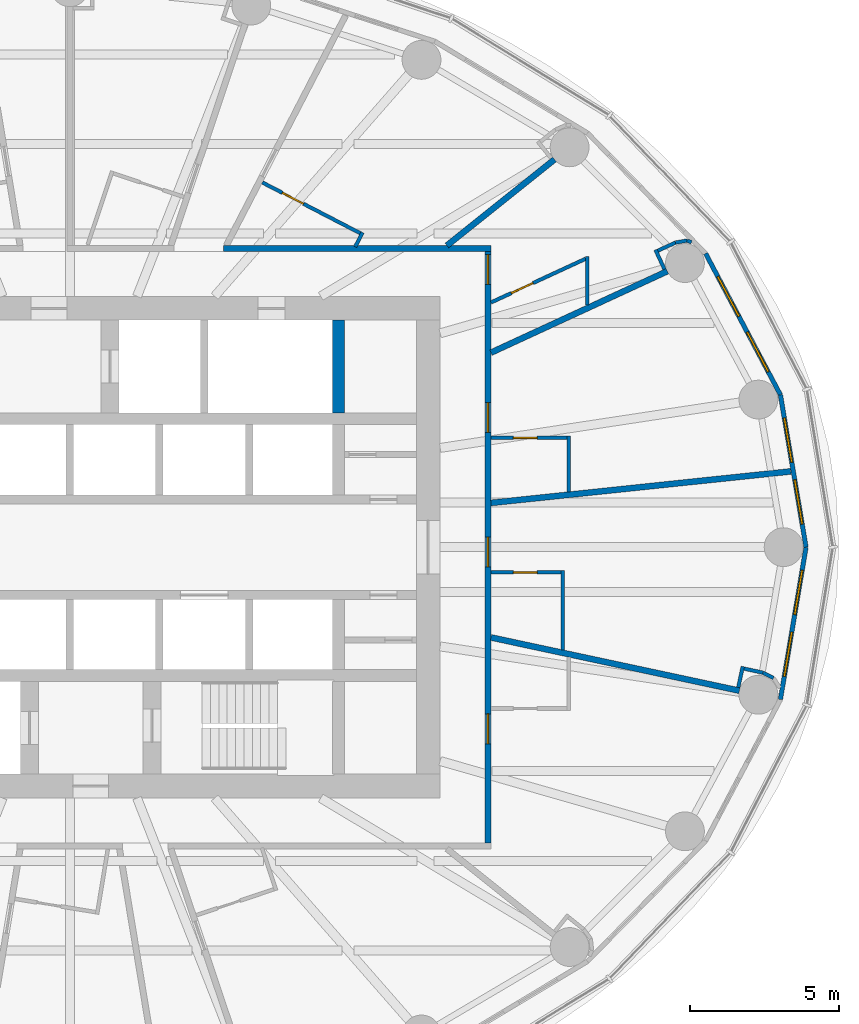
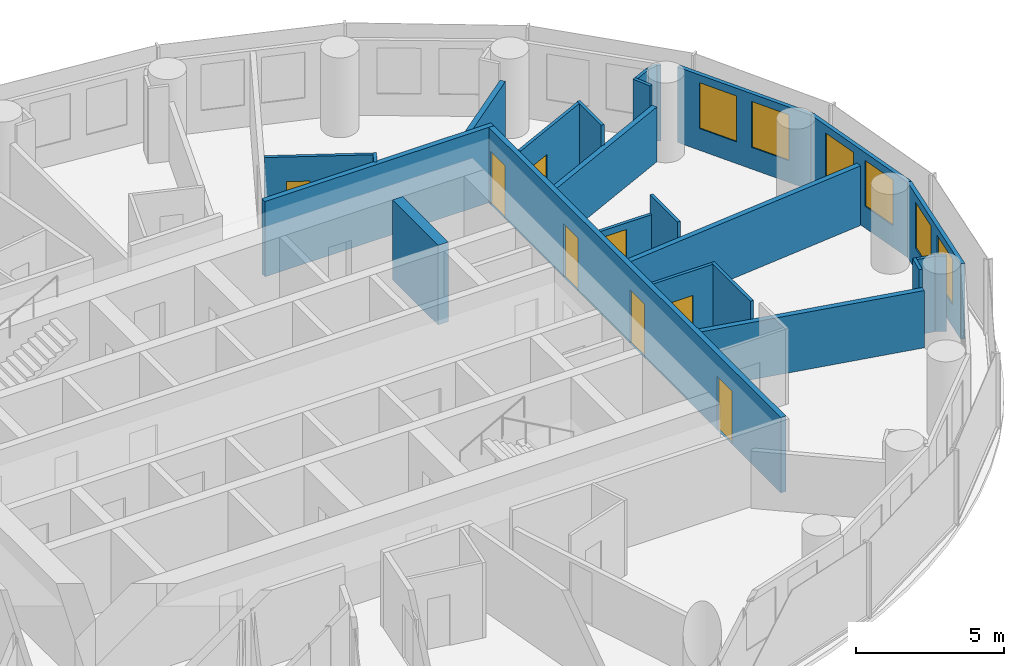
# One storey, part 10 of 14: 25 walls, 8 doors, 6 windows, 14 openings.
"""IFC4 building model written with IfcOpenShell, lengths in metres."""

from ifc_helpers import new_model, si_unit, direction, frame, frame_2d, origin, place, context, subcontext, project, spatial, rectangle, extrude, material, layer, layer_set, type_object, element, fill, save


model = new_model("IFC4")

# Units and contexts
model_context = context("Model", 3, precision=1e-05, world=origin(), true_north=direction((0.0, 1.0)))
body_context = subcontext(model_context, "Body", "Model", "MODEL_VIEW")
ifc_project = project(units=[si_unit("LENGTHUNIT", "METRE"), si_unit("AREAUNIT", "SQUARE_METRE"), si_unit("VOLUMEUNIT", "CUBIC_METRE"), si_unit("PLANEANGLEUNIT", "RADIAN"), si_unit("MASSUNIT", "GRAM", prefix="KILO")], contexts=[model_context])

# Site, building, storey
site_placement = place(None, origin())
site = spatial("IfcSite", under=ifc_project, at=site_placement, CompositionType="ELEMENT")
building_placement = place(site_placement, origin())
building = spatial("IfcBuilding", under=site, at=building_placement, Name="Hankou Lantern Tower", CompositionType="ELEMENT")
storey_placement = place(building_placement, frame((0.0, 0.0, 108.89990234375)))
storey = spatial("IfcBuildingStorey", under=building, at=storey_placement, Name="L27", CompositionType="ELEMENT", Elevation=108.89990234375)

# Wall
ifc_material_1 = material(Name="Concrete C60", Category="concrete")
ifc_layer_1 = layer(ifc_material_1, 0.39990234375)
ifc_layer_set_1 = layer_set([ifc_layer_1], Name="Concrete C60")
wall_type_1 = type_object("IfcWallType", Name="CW4 CORE CROSS WALL 400", PredefinedType="SHEAR", material=ifc_layer_set_1)
wall_1_placement = place(storey_placement, frame((9.0, 4.5, 0.0), z_axis=(0.0, 0.0, 1.0), x_axis=(0.0, 1.0, 0.0)))
element("IfcWall", 1, at=wall_1_placement, inside=storey, type_object=wall_type_1, Name="Core strip wall L27", PredefinedType="SHEAR", context=body_context, shape_type="SweptSolid", body=[
    extrude(rectangle(XDim=3.10009765625, YDim=0.39990234375, at=frame_2d((1.550048828125, 0.0))), origin(), (0.0, 0.0, 1.0), 3.300048828125),
])

# Wall, openings, windows
ifc_material_2 = material(Name="Aluminium spandrel panel on steel studs", Category="steel")
ifc_layer_2 = layer(ifc_material_2, 0.14990234375)
ifc_layer_set_2 = layer_set([ifc_layer_2], Name="Aluminium spandrel panel on steel studs")
wall_type_2 = type_object("IfcWallType", Name="EW1 INNER SKIN WALL 150", PredefinedType="ELEMENTEDWALL", material=ifc_layer_set_2)
wall_2_placement = place(storey_placement, frame((24.64990234375, 0.0, 0.0), z_axis=(0.0, 0.0, 1.0), x_axis=(-0.165883894218, 0.986145290329, 0.0)))
wall_2 = element("IfcWall", 2, at=wall_2_placement, inside=storey, type_object=wall_type_2, Name="Inner skin R01-R02 L27", PredefinedType="ELEMENTEDWALL", context=body_context, shape_type="SweptSolid", body=[
    extrude(rectangle(XDim=5.171630859375, YDim=0.14990234375, at=frame_2d((2.5859375, 0.0))), origin(), (0.0, 0.0, 1.0), 3.1201171875),
])
opening_1_placement = place(wall_2_placement, frame((0.785888671875, 0.0, 0.89990234375)))
opening_1 = element("IfcOpeningElement", 3, at=opening_1_placement, cuts=wall_2, Name="Opening W2", PredefinedType="OPENING", context=body_context, shape_type="SweptSolid", body=[
    extrude(rectangle(XDim=1.5, YDim=1.89990234375, at=frame_2d((0.75, 0.949951171875))), frame((0.0, 0.0849609375, 0.0), z_axis=(0.0, -1.0, 0.0), x_axis=(1.0, 0.0, 0.0)), (0.0, 0.0, 1.0), 0.169921875),
])
opening_2_placement = place(wall_2_placement, frame((2.8857421875, 0.0, 0.89990234375)))
opening_2 = element("IfcOpeningElement", 4, at=opening_2_placement, cuts=wall_2, Name="Opening W2", PredefinedType="OPENING", context=body_context, shape_type="SweptSolid", body=[
    extrude(rectangle(XDim=1.5, YDim=1.89990234375, at=frame_2d((0.75, 0.949951171875))), frame((0.0, 0.0849609375, 0.0), z_axis=(0.0, -1.0, 0.0), x_axis=(1.0, 0.0, 0.0)), (0.0, 0.0, 1.0), 0.169921875),
])
ifc_material_3 = material(Name="Aluminium framed double glazed window", Category="aluminium")
window_type = type_object("IfcWindowType", Name="W2 GUEST ROOM WINDOW 1500X1900", PartitioningType="DOUBLE_PANEL_VERTICAL", PredefinedType="WINDOW", material=ifc_material_3)
window_1_placement = place(opening_1_placement, origin())
window_1 = element("IfcWindow", 5, at=window_1_placement, inside=storey, type_object=window_type, Name="Window R01.1 L27", OverallHeight=1.89990234375, OverallWidth=1.5, PartitioningType="SINGLE_PANEL", PredefinedType="WINDOW", context=body_context, shape_type="SweptSolid", body=[
    extrude(rectangle(XDim=1.5, YDim=1.89990234375, at=frame_2d((0.75, 0.949951171875))), frame((0.0, 0.030029296875, 0.0), z_axis=(0.0, -1.0, 0.0), x_axis=(1.0, 0.0, 0.0)), (0.0, 0.0, 1.0), 0.06005859375),
])
fill(opening_1, window_1)
window_2_placement = place(opening_2_placement, origin())
window_2 = element("IfcWindow", 6, at=window_2_placement, inside=storey, type_object=window_type, Name="Window R01.2 L27", OverallHeight=1.89990234375, OverallWidth=1.5, PartitioningType="SINGLE_PANEL", PredefinedType="WINDOW", context=body_context, shape_type="SweptSolid", body=[
    extrude(rectangle(XDim=1.5, YDim=1.89990234375, at=frame_2d((0.75, 0.949951171875))), frame((0.0, 0.030029296875, 0.0), z_axis=(0.0, -1.0, 0.0), x_axis=(1.0, 0.0, 0.0)), (0.0, 0.0, 1.0), 0.06005859375),
])
fill(opening_2, window_2)

wall_3_placement = place(storey_placement, frame((23.7919921875, 5.10009765625, 0.0), z_axis=(0.0, 0.0, 1.0), x_axis=(-0.467814388454, 0.883826735257, 0.0)))
wall_3 = element("IfcWall", 7, at=wall_3_placement, inside=storey, type_object=wall_type_2, Name="Inner skin R02-R03 L27", PredefinedType="ELEMENTEDWALL", context=body_context, shape_type="SweptSolid", body=[
    extrude(rectangle(XDim=5.35400390625, YDim=0.14990234375, at=frame_2d((2.677001953125, 0.0))), origin(), (0.0, 0.0, 1.0), 3.1201171875),
])
opening_3_placement = place(wall_3_placement, frame((0.876953125, 0.0, 0.89990234375)))
opening_3 = element("IfcOpeningElement", 8, at=opening_3_placement, cuts=wall_3, Name="Opening W2", PredefinedType="OPENING", context=body_context, shape_type="SweptSolid", body=[
    extrude(rectangle(XDim=1.5, YDim=1.89990234375, at=frame_2d((0.75, 0.949951171875))), frame((0.0, 0.0849609375, 0.0), z_axis=(0.0, -1.0, 0.0), x_axis=(1.0, 0.0, 0.0)), (0.0, 0.0, 1.0), 0.169921875),
])
opening_4_placement = place(wall_3_placement, frame((2.97705078125, 0.0, 0.89990234375)))
opening_4 = element("IfcOpeningElement", 9, at=opening_4_placement, cuts=wall_3, Name="Opening W2", PredefinedType="OPENING", context=body_context, shape_type="SweptSolid", body=[
    extrude(rectangle(XDim=1.5, YDim=1.89990234375, at=frame_2d((0.75, 0.949951171875))), frame((0.0, 0.0849609375, 0.0), z_axis=(0.0, -1.0, 0.0), x_axis=(1.0, 0.0, 0.0)), (0.0, 0.0, 1.0), 0.169921875),
])
window_3_placement = place(opening_3_placement, origin())
window_3 = element("IfcWindow", 10, at=window_3_placement, inside=storey, type_object=window_type, Name="Window R02.1 L27", OverallHeight=1.89990234375, OverallWidth=1.5, PartitioningType="SINGLE_PANEL", PredefinedType="WINDOW", context=body_context, shape_type="SweptSolid", body=[
    extrude(rectangle(XDim=1.5, YDim=1.89990234375, at=frame_2d((0.75, 0.949951171875))), frame((0.0, 0.030029296875, 0.0), z_axis=(0.0, -1.0, 0.0), x_axis=(1.0, 0.0, 0.0)), (0.0, 0.0, 1.0), 0.06005859375),
])
fill(opening_3, window_3)
window_4_placement = place(opening_4_placement, origin())
window_4 = element("IfcWindow", 11, at=window_4_placement, inside=storey, type_object=window_type, Name="Window R02.2 L27", OverallHeight=1.89990234375, OverallWidth=1.5, PartitioningType="SINGLE_PANEL", PredefinedType="WINDOW", context=body_context, shape_type="SweptSolid", body=[
    extrude(rectangle(XDim=1.5, YDim=1.89990234375, at=frame_2d((0.75, 0.949951171875))), frame((0.0, 0.030029296875, 0.0), z_axis=(0.0, -1.0, 0.0), x_axis=(1.0, 0.0, 0.0)), (0.0, 0.0, 1.0), 0.06005859375),
])
fill(opening_4, window_4)

wall_4_placement = place(storey_placement, frame((23.7919921875, -5.10009765625, 0.0), z_axis=(0.0, 0.0, 1.0), x_axis=(0.165883894218, 0.986145290329, 0.0)))
wall_4 = element("IfcWall", 12, at=wall_4_placement, inside=storey, type_object=wall_type_2, Name="Inner skin R24-R01 L27", PredefinedType="ELEMENTEDWALL", context=body_context, shape_type="SweptSolid", body=[
    extrude(rectangle(XDim=5.171630859375, YDim=0.14990234375, at=frame_2d((2.5859375, 0.0))), origin(), (0.0, 0.0, 1.0), 3.1201171875),
])
opening_5_placement = place(wall_4_placement, frame((0.785888671875, 0.0, 0.89990234375)))
opening_5 = element("IfcOpeningElement", 13, at=opening_5_placement, cuts=wall_4, Name="Opening W2", PredefinedType="OPENING", context=body_context, shape_type="SweptSolid", body=[
    extrude(rectangle(XDim=1.5, YDim=1.89990234375, at=frame_2d((0.75, 0.949951171875))), frame((0.0, 0.0849609375, 0.0), z_axis=(0.0, -1.0, 0.0), x_axis=(1.0, 0.0, 0.0)), (0.0, 0.0, 1.0), 0.169921875),
])
opening_6_placement = place(wall_4_placement, frame((2.8857421875, 0.0, 0.89990234375)))
opening_6 = element("IfcOpeningElement", 14, at=opening_6_placement, cuts=wall_4, Name="Opening W2", PredefinedType="OPENING", context=body_context, shape_type="SweptSolid", body=[
    extrude(rectangle(XDim=1.5, YDim=1.89990234375, at=frame_2d((0.75, 0.949951171875))), frame((0.0, 0.0849609375, 0.0), z_axis=(0.0, -1.0, 0.0), x_axis=(1.0, 0.0, 0.0)), (0.0, 0.0, 1.0), 0.169921875),
])
window_5_placement = place(opening_5_placement, origin())
window_5 = element("IfcWindow", 15, at=window_5_placement, inside=storey, type_object=window_type, Name="Window R24.1 L27", OverallHeight=1.89990234375, OverallWidth=1.5, PartitioningType="SINGLE_PANEL", PredefinedType="WINDOW", context=body_context, shape_type="SweptSolid", body=[
    extrude(rectangle(XDim=1.5, YDim=1.89990234375, at=frame_2d((0.75, 0.949951171875))), frame((0.0, 0.030029296875, 0.0), z_axis=(0.0, -1.0, 0.0), x_axis=(1.0, 0.0, 0.0)), (0.0, 0.0, 1.0), 0.06005859375),
])
fill(opening_5, window_5)
window_6_placement = place(opening_6_placement, origin())
window_6 = element("IfcWindow", 16, at=window_6_placement, inside=storey, type_object=window_type, Name="Window R24.2 L27", OverallHeight=1.89990234375, OverallWidth=1.5, PartitioningType="SINGLE_PANEL", PredefinedType="WINDOW", context=body_context, shape_type="SweptSolid", body=[
    extrude(rectangle(XDim=1.5, YDim=1.89990234375, at=frame_2d((0.75, 0.949951171875))), frame((0.0, 0.030029296875, 0.0), z_axis=(0.0, -1.0, 0.0), x_axis=(1.0, 0.0, 0.0)), (0.0, 0.0, 1.0), 0.06005859375),
])
fill(opening_6, window_6)

# Walls
ifc_material_4 = material(Name="Masonry lightweight concrete block", Category="masonry")
ifc_layer_3 = layer(ifc_material_4, 0.199951171875)
ifc_layer_set_3 = layer_set([ifc_layer_3], Name="Masonry lightweight concrete block")
wall_type_3 = type_object("IfcWallType", Name="IW1 GUEST ROOM PARTY WALL 200", PredefinedType="PARTITIONING", material=ifc_layer_set_3)
wall_5_placement = place(storey_placement, frame((14.10009765625, 1.481689453125, 0.0), z_axis=(0.0, 0.0, 1.0), x_axis=(0.994523202615, 0.104516024894, 0.0)))
element("IfcWall", 17, at=wall_5_placement, inside=storey, type_object=wall_type_3, Name="Party wall R01-R02", PredefinedType="PARTITIONING", context=body_context, shape_type="SweptSolid", body=[
    extrude(rectangle(XDim=10.091064453125, YDim=0.199951171875, at=frame_2d((5.04541015625, 0.0))), origin(), (0.0, 0.0, 1.0), 2.47021484375),
])
wall_6_placement = place(storey_placement, frame((14.10009765625, 6.512451171875, 0.0), z_axis=(0.0, 0.0, 1.0), x_axis=(0.907833019998, 0.419331858797, 0.0)))
element("IfcWall", 18, at=wall_6_placement, inside=storey, type_object=wall_type_3, Name="Party wall R03", PredefinedType="PARTITIONING", context=body_context, shape_type="SweptSolid", body=[
    extrude(rectangle(XDim=6.505126953125, YDim=0.199951171875, at=frame_2d((3.25244140625, 0.0))), origin(), (0.0, 0.0, 1.0), 2.27001953125),
])
wall_7_placement = place(storey_placement, frame((12.625, 10.10009765625, 0.0), z_axis=(0.0, 0.0, 1.0), x_axis=(0.780863644897, 0.624701503182, 0.0)))
element("IfcWall", 19, at=wall_7_placement, inside=storey, type_object=wall_type_3, Name="Party wall R04", PredefinedType="PARTITIONING", context=body_context, shape_type="SweptSolid", body=[
    extrude(rectangle(XDim=4.612060546875, YDim=0.199951171875, at=frame_2d((2.30615234375, 0.0))), origin(), (0.0, 0.0, 1.0), 2.3701171875),
])
wall_8_placement = place(storey_placement, frame((14.10009765625, -3.0224609375, 0.0), z_axis=(0.0, 0.0, 1.0), x_axis=(0.977783513367, -0.209617272638, 0.0)))
element("IfcWall", 20, at=wall_8_placement, inside=storey, type_object=wall_type_3, Name="Party wall R24", PredefinedType="PARTITIONING", context=body_context, shape_type="SweptSolid", body=[
    extrude(rectangle(XDim=8.508056640625, YDim=0.199951171875, at=frame_2d((4.25390625, 0.0))), origin(), (0.0, 0.0, 1.0), 2.3701171875),
])

# Wall, openings, doors
ifc_material_5 = material(Name="Masonry lightweight concrete block", Category="masonry")
ifc_layer_4 = layer(ifc_material_5, 0.199951171875)
ifc_layer_set_4 = layer_set([ifc_layer_4], Name="Masonry lightweight concrete block")
wall_type_4 = type_object("IfcWallType", Name="IW2 CORRIDOR WALL 200", PredefinedType="PARTITIONING", material=ifc_layer_set_4)
wall_9_placement = place(storey_placement, frame((14.0, -9.89990234375, 0.0), z_axis=(0.0, 0.0, 1.0), x_axis=(0.0, 1.0, 0.0)))
wall_9 = element("IfcWall", 21, at=wall_9_placement, inside=storey, type_object=wall_type_4, Name="Corridor wall east", PredefinedType="PARTITIONING", context=body_context, shape_type="SweptSolid", body=[
    extrude(rectangle(XDim=19.7998046875, YDim=0.199951171875, at=frame_2d((9.89990234375, 0.0))), origin(), (0.0, 0.0, 1.0), 3.1201171875),
])
opening_7_placement = place(wall_9_placement, frame((3.317626953125, 0.0, 0.0)))
opening_7 = element("IfcOpeningElement", 22, at=opening_7_placement, cuts=wall_9, Name="Opening D2", PredefinedType="OPENING", context=body_context, shape_type="SweptSolid", body=[
    extrude(rectangle(XDim=1.0, YDim=2.199951171875, at=frame_2d((0.5, 1.10009765625))), frame((0.0, 0.10986328125, 0.0), z_axis=(0.0, -1.0, 0.0), x_axis=(1.0, 0.0, 0.0)), (0.0, 0.0, 1.0), 0.219970703125),
])
opening_8_placement = place(wall_9_placement, frame((9.237548828125, 0.0, 0.0)))
opening_8 = element("IfcOpeningElement", 23, at=opening_8_placement, cuts=wall_9, Name="Opening D1", PredefinedType="OPENING", context=body_context, shape_type="SweptSolid", body=[
    extrude(rectangle(XDim=1.0, YDim=2.199951171875, at=frame_2d((0.5, 1.10009765625))), frame((0.0, 0.10986328125, 0.0), z_axis=(0.0, -1.0, 0.0), x_axis=(1.0, 0.0, 0.0)), (0.0, 0.0, 1.0), 0.219970703125),
])
opening_9_placement = place(wall_9_placement, frame((13.74169921875, 0.0, 0.0)))
opening_9 = element("IfcOpeningElement", 24, at=opening_9_placement, cuts=wall_9, Name="Opening D1", PredefinedType="OPENING", context=body_context, shape_type="SweptSolid", body=[
    extrude(rectangle(XDim=1.0, YDim=2.199951171875, at=frame_2d((0.5, 1.10009765625))), frame((0.0, 0.10986328125, 0.0), z_axis=(0.0, -1.0, 0.0), x_axis=(1.0, 0.0, 0.0)), (0.0, 0.0, 1.0), 0.219970703125),
])
opening_10_placement = place(wall_9_placement, frame((18.697509765625, 0.0, 0.0)))
opening_10 = element("IfcOpeningElement", 25, at=opening_10_placement, cuts=wall_9, Name="Opening D1", PredefinedType="OPENING", context=body_context, shape_type="SweptSolid", body=[
    extrude(rectangle(XDim=1.0, YDim=2.199951171875, at=frame_2d((0.5, 1.10009765625))), frame((0.0, 0.10986328125, 0.0), z_axis=(0.0, -1.0, 0.0), x_axis=(1.0, 0.0, 0.0)), (0.0, 0.0, 1.0), 0.219970703125),
])
ifc_material_6 = material(Name="Steel door leaf", Category="steel")
door_type_1 = type_object("IfcDoorType", Name="D1 GUEST ROOM DOOR 1000X2200", OperationType="SINGLE_SWING_LEFT", PredefinedType="DOOR", material=ifc_material_6)
door_1_placement = place(opening_8_placement, origin())
door_1 = element("IfcDoor", 26, at=door_1_placement, inside=storey, type_object=door_type_1, Name="Guest room door 2717", OperationType="SINGLE_SWING_LEFT", OverallHeight=2.199951171875, OverallWidth=1.0, PredefinedType="DOOR", context=body_context, shape_type="SweptSolid", body=[
    extrude(rectangle(XDim=1.0, YDim=2.199951171875, at=frame_2d((0.5, 1.10009765625))), frame((0.0, 0.02490234375, 0.0), z_axis=(0.0, -1.0, 0.0), x_axis=(1.0, 0.0, 0.0)), (0.0, 0.0, 1.0), 0.050048828125),
])
fill(opening_8, door_1)
door_2_placement = place(opening_9_placement, origin())
door_2 = element("IfcDoor", 27, at=door_2_placement, inside=storey, type_object=door_type_1, Name="Guest room door 2718", OperationType="SINGLE_SWING_RIGHT", OverallHeight=2.199951171875, OverallWidth=1.0, PredefinedType="DOOR", context=body_context, shape_type="SweptSolid", body=[
    extrude(rectangle(XDim=1.0, YDim=2.199951171875, at=frame_2d((0.5, 1.10009765625))), frame((0.0, 0.02490234375, 0.0), z_axis=(0.0, -1.0, 0.0), x_axis=(1.0, 0.0, 0.0)), (0.0, 0.0, 1.0), 0.050048828125),
])
fill(opening_9, door_2)
door_3_placement = place(opening_10_placement, origin())
door_3 = element("IfcDoor", 28, at=door_3_placement, inside=storey, type_object=door_type_1, Name="Guest room door 2719", OperationType="SINGLE_SWING_RIGHT", OverallHeight=2.199951171875, OverallWidth=1.0, PredefinedType="DOOR", context=body_context, shape_type="SweptSolid", body=[
    extrude(rectangle(XDim=1.0, YDim=2.199951171875, at=frame_2d((0.5, 1.10009765625))), frame((0.0, 0.02490234375, 0.0), z_axis=(0.0, -1.0, 0.0), x_axis=(1.0, 0.0, 0.0)), (0.0, 0.0, 1.0), 0.050048828125),
])
fill(opening_10, door_3)
ifc_material_7 = material(Name="Steel door leaf", Category="steel")
door_type_2 = type_object("IfcDoorType", Name="D2 SUITE DOOR 1000X2200", OperationType="SINGLE_SWING_LEFT", PredefinedType="DOOR", material=ifc_material_7)
door_4_placement = place(opening_7_placement, origin())
door_4 = element("IfcDoor", 29, at=door_4_placement, inside=storey, type_object=door_type_2, Name="Suite door 2716", OperationType="SINGLE_SWING_LEFT", OverallHeight=2.199951171875, OverallWidth=1.0, PredefinedType="DOOR", context=body_context, shape_type="SweptSolid", body=[
    extrude(rectangle(XDim=1.0, YDim=2.199951171875, at=frame_2d((0.5, 1.10009765625))), frame((0.0, 0.02490234375, 0.0), z_axis=(0.0, -1.0, 0.0), x_axis=(1.0, 0.0, 0.0)), (0.0, 0.0, 1.0), 0.050048828125),
])
fill(opening_7, door_4)

# Walls
wall_10_placement = place(storey_placement, frame((5.13916015625, 10.0, 0.0), z_axis=(0.0, 0.0, 1.0), x_axis=(1.0, 0.0, 0.0)))
element("IfcWall", 30, at=wall_10_placement, inside=storey, type_object=wall_type_4, Name="Corridor wall north", PredefinedType="PARTITIONING", context=body_context, shape_type="SweptSolid", body=[
    extrude(rectangle(XDim=8.9609375, YDim=0.199951171875, at=frame_2d((4.48046875, 0.0))), origin(), (0.0, 0.0, 1.0), 3.1201171875),
])
ifc_material_8 = material(Name="Masonry lightweight concrete block", Category="masonry")
ifc_layer_5 = layer(ifc_material_8, 0.1201171875)
ifc_layer_set_5 = layer_set([ifc_layer_5], Name="Masonry lightweight concrete block")
wall_type_5 = type_object("IfcWallType", Name="IW3 BATHROOM WALL 120", PredefinedType="PARTITIONING", material=ifc_layer_set_5)
wall_11_placement = place(storey_placement, frame((16.5, -3.43701171875, 0.0), z_axis=(0.0, 0.0, 1.0), x_axis=(0.0, 1.0, 0.0)))
element("IfcWall", 31, at=wall_11_placement, inside=storey, type_object=wall_type_5, Name="Box wall 2717 1", PredefinedType="PARTITIONING", context=body_context, shape_type="SweptSolid", body=[
    extrude(rectangle(XDim=2.654541015625, YDim=0.1201171875, at=frame_2d((1.3271484375, 0.0))), origin(), (0.0, 0.0, 1.0), 3.1201171875),
])

# Wall, opening, door
wall_12_placement = place(storey_placement, frame((14.10009765625, -0.842529296875, 0.0), z_axis=(0.0, 0.0, 1.0), x_axis=(1.0, 0.0, 0.0)))
wall_12 = element("IfcWall", 32, at=wall_12_placement, inside=storey, type_object=wall_type_5, Name="Box wall 2717 1", PredefinedType="PARTITIONING", context=body_context, shape_type="SweptSolid", body=[
    extrude(rectangle(XDim=2.33984375, YDim=0.1201171875, at=frame_2d((1.169921875, 0.0))), origin(), (0.0, 0.0, 1.0), 3.1201171875),
])
opening_11_placement = place(wall_12_placement, frame((0.75, 0.0, 0.0)))
opening_11 = element("IfcOpeningElement", 33, at=opening_11_placement, cuts=wall_12, Name="Opening D3", PredefinedType="OPENING", context=body_context, shape_type="SweptSolid", body=[
    extrude(rectangle(XDim=0.800048828125, YDim=2.10009765625, at=frame_2d((0.39990234375, 1.050048828125))), frame((0.0, 0.070068359375, 0.0), z_axis=(0.0, -1.0, 0.0), x_axis=(1.0, 0.0, 0.0)), (0.0, 0.0, 1.0), 0.14013671875),
])
ifc_material_9 = material(Name="Timber door leaf", Category="wood")
door_type_3 = type_object("IfcDoorType", Name="D3 BATHROOM DOOR 800X2100", OperationType="SINGLE_SWING_LEFT", PredefinedType="DOOR", material=ifc_material_9)
door_5_placement = place(opening_11_placement, origin())
door_5 = element("IfcDoor", 34, at=door_5_placement, inside=storey, type_object=door_type_3, Name="En-suite bathroom 2717 door", OperationType="SINGLE_SWING_LEFT", OverallHeight=2.10009765625, OverallWidth=0.800048828125, PredefinedType="DOOR", context=body_context, shape_type="SweptSolid", body=[
    extrude(rectangle(XDim=0.800048828125, YDim=2.10009765625, at=frame_2d((0.39990234375, 1.050048828125))), frame((0.0, 0.02490234375, 0.0), z_axis=(0.0, -1.0, 0.0), x_axis=(1.0, 0.0, 0.0)), (0.0, 0.0, 1.0), 0.050048828125),
])
fill(opening_11, door_5)

# Wall
wall_13_placement = place(storey_placement, frame((16.699951171875, 1.85498046875, 0.0), z_axis=(0.0, 0.0, 1.0), x_axis=(0.0, 1.0, 0.0)))
element("IfcWall", 35, at=wall_13_placement, inside=storey, type_object=wall_type_5, Name="Box wall 2718 1", PredefinedType="PARTITIONING", context=body_context, shape_type="SweptSolid", body=[
    extrude(rectangle(XDim=1.86669921875, YDim=0.1201171875, at=frame_2d((0.933349609375, 0.0))), origin(), (0.0, 0.0, 1.0), 3.1201171875),
])

# Wall, opening, door
wall_14_placement = place(storey_placement, frame((14.10009765625, 3.661865234375, 0.0), z_axis=(0.0, 0.0, 1.0), x_axis=(1.0, 0.0, 0.0)))
wall_14 = element("IfcWall", 36, at=wall_14_placement, inside=storey, type_object=wall_type_5, Name="Box wall 2718 1", PredefinedType="PARTITIONING", context=body_context, shape_type="SweptSolid", body=[
    extrude(rectangle(XDim=2.539794921875, YDim=0.1201171875, at=frame_2d((1.27001953125, 0.0))), origin(), (0.0, 0.0, 1.0), 2.3701171875),
])
opening_12_placement = place(wall_14_placement, frame((0.75, 0.0, 0.0)))
opening_12 = element("IfcOpeningElement", 37, at=opening_12_placement, cuts=wall_14, Name="Opening D3", PredefinedType="OPENING", context=body_context, shape_type="SweptSolid", body=[
    extrude(rectangle(XDim=0.800048828125, YDim=2.10009765625, at=frame_2d((0.39990234375, 1.050048828125))), frame((0.0, 0.070068359375, 0.0), z_axis=(0.0, -1.0, 0.0), x_axis=(1.0, 0.0, 0.0)), (0.0, 0.0, 1.0), 0.14013671875),
])
door_6_placement = place(opening_12_placement, origin())
door_6 = element("IfcDoor", 38, at=door_6_placement, inside=storey, type_object=door_type_3, Name="En-suite bathroom 2718 door", OperationType="SINGLE_SWING_LEFT", OverallHeight=2.10009765625, OverallWidth=0.800048828125, PredefinedType="DOOR", context=body_context, shape_type="SweptSolid", body=[
    extrude(rectangle(XDim=0.800048828125, YDim=2.10009765625, at=frame_2d((0.39990234375, 1.050048828125))), frame((0.0, 0.02490234375, 0.0), z_axis=(0.0, -1.0, 0.0), x_axis=(1.0, 0.0, 0.0)), (0.0, 0.0, 1.0), 0.050048828125),
])
fill(opening_12, door_6)

# Wall
wall_15_placement = place(storey_placement, frame((17.32275390625, 8.10107421875, 0.0), z_axis=(0.0, 0.0, 1.0), x_axis=(0.0, 1.0, 0.0)))
element("IfcWall", 39, at=wall_15_placement, inside=storey, type_object=wall_type_5, Name="Box wall 2719 1", PredefinedType="PARTITIONING", context=body_context, shape_type="SweptSolid", body=[
    extrude(rectangle(XDim=1.639892578125, YDim=0.1201171875, at=frame_2d((0.81982421875, 0.0))), origin(), (0.0, 0.0, 1.0), 3.1201171875),
])

# Wall, opening, door
wall_16_placement = place(storey_placement, frame((14.10009765625, 8.192626953125, 0.0), z_axis=(0.0, 0.0, 1.0), x_axis=(0.907836493557, 0.419324338628, 0.0)))
wall_16 = element("IfcWall", 40, at=wall_16_placement, inside=storey, type_object=wall_type_5, Name="Box wall 2719 1", PredefinedType="PARTITIONING", context=body_context, shape_type="SweptSolid", body=[
    extrude(rectangle(XDim=3.48974609375, YDim=0.1201171875, at=frame_2d((1.744873046875, 0.0))), origin(), (0.0, 0.0, 1.0), 3.1201171875),
])
opening_13_placement = place(wall_16_placement, frame((0.75, 0.0, 0.0)))
opening_13 = element("IfcOpeningElement", 41, at=opening_13_placement, cuts=wall_16, Name="Opening D3", PredefinedType="OPENING", context=body_context, shape_type="SweptSolid", body=[
    extrude(rectangle(XDim=0.800048828125, YDim=2.10009765625, at=frame_2d((0.39990234375, 1.050048828125))), frame((0.0, 0.070068359375, 0.0), z_axis=(0.0, -1.0, 0.0), x_axis=(1.0, 0.0, 0.0)), (0.0, 0.0, 1.0), 0.14013671875),
])
door_7_placement = place(opening_13_placement, origin())
door_7 = element("IfcDoor", 42, at=door_7_placement, inside=storey, type_object=door_type_3, Name="En-suite bathroom 2719 door", OperationType="SINGLE_SWING_LEFT", OverallHeight=2.10009765625, OverallWidth=0.800048828125, PredefinedType="DOOR", context=body_context, shape_type="SweptSolid", body=[
    extrude(rectangle(XDim=0.800048828125, YDim=2.10009765625, at=frame_2d((0.39990234375, 1.050048828125))), frame((0.0, 0.02490234375, 0.0), z_axis=(0.0, -1.0, 0.0), x_axis=(1.0, 0.0, 0.0)), (0.0, 0.0, 1.0), 0.050048828125),
])
fill(opening_13, door_7)

# Wall
wall_17_placement = place(storey_placement, frame((9.552490234375, 10.053955078125, 0.0), z_axis=(0.0, 0.0, 1.0), x_axis=(0.460604866949, 0.887605293215, 0.0)))
element("IfcWall", 43, at=wall_17_placement, inside=storey, type_object=wall_type_5, Name="Box wall 2720 1", PredefinedType="PARTITIONING", context=body_context, shape_type="SweptSolid", body=[
    extrude(rectangle(XDim=0.544921875, YDim=0.1201171875, at=frame_2d((0.2724609375, 0.0))), origin(), (0.0, 0.0, 1.0), 3.1201171875),
])

# Wall, opening, door
wall_18_placement = place(storey_placement, frame((6.447021484375, 12.2109375, 0.0), z_axis=(0.0, 0.0, 1.0), x_axis=(0.887685422499, -0.460450421525, 0.0)))
wall_18 = element("IfcWall", 44, at=wall_18_placement, inside=storey, type_object=wall_type_5, Name="Box wall 2720 1", PredefinedType="PARTITIONING", context=body_context, shape_type="SweptSolid", body=[
    extrude(rectangle(XDim=3.689697265625, YDim=0.1201171875, at=frame_2d((1.8447265625, 0.0))), origin(), (0.0, 0.0, 1.0), 3.1201171875),
])
opening_14_placement = place(wall_18_placement, frame((0.75, 0.0, 0.0)))
opening_14 = element("IfcOpeningElement", 45, at=opening_14_placement, cuts=wall_18, Name="Opening D3", PredefinedType="OPENING", context=body_context, shape_type="SweptSolid", body=[
    extrude(rectangle(XDim=0.800048828125, YDim=2.10009765625, at=frame_2d((0.39990234375, 1.050048828125))), frame((0.0, 0.070068359375, 0.0), z_axis=(0.0, -1.0, 0.0), x_axis=(1.0, 0.0, 0.0)), (0.0, 0.0, 1.0), 0.14013671875),
])
door_8_placement = place(opening_14_placement, origin())
door_8 = element("IfcDoor", 46, at=door_8_placement, inside=storey, type_object=door_type_3, Name="En-suite bathroom 2720 door", OperationType="SINGLE_SWING_LEFT", OverallHeight=2.10009765625, OverallWidth=0.800048828125, PredefinedType="DOOR", context=body_context, shape_type="SweptSolid", body=[
    extrude(rectangle(XDim=0.800048828125, YDim=2.10009765625, at=frame_2d((0.39990234375, 1.050048828125))), frame((0.0, 0.02490234375, 0.0), z_axis=(0.0, -1.0, 0.0), x_axis=(1.0, 0.0, 0.0)), (0.0, 0.0, 1.0), 0.050048828125),
])
fill(opening_14, door_8)

# Walls
ifc_material_10 = material(Name="Masonry lightweight concrete block", Category="masonry")
ifc_layer_6 = layer(ifc_material_10, 0.1201171875)
ifc_layer_set_6 = layer_set([ifc_layer_6], Name="Masonry lightweight concrete block")
wall_type_6 = type_object("IfcWallType", Name="IW4 PARTITION 120", PredefinedType="PARTITIONING", material=ifc_layer_set_6)
wall_19_placement = place(storey_placement, frame((19.9091796875, 9.305908203125, 0.0), z_axis=(0.0, 0.0, 1.0), x_axis=(-0.419296148934, 0.90784951368, 0.0)))
element("IfcWall", 47, at=wall_19_placement, inside=storey, type_object=wall_type_6, Name="Column casing R03 return", PredefinedType="PARTITIONING", context=body_context, shape_type="SweptSolid", body=[
    extrude(rectangle(XDim=0.715576171875, YDim=0.1201171875, at=frame_2d((0.35791015625, 0.0))), origin(), (0.0, 0.0, 1.0), 3.1201171875),
])
wall_20_placement = place(storey_placement, frame((19.688720703125, 9.92626953125, 0.0), z_axis=(0.0, 0.0, 1.0), x_axis=(0.907893409272, 0.419201094227, 0.0)))
element("IfcWall", 48, at=wall_20_placement, inside=storey, type_object=wall_type_6, Name="Column casing R03", PredefinedType="PARTITIONING", context=body_context, shape_type="SweptSolid", body=[
    extrude(rectangle(XDim=0.64990234375, YDim=0.1201171875, at=frame_2d((0.324951171875, 0.0))), origin(), (0.0, 0.0, 1.0), 3.1201171875),
])
wall_21_placement = place(storey_placement, frame((20.27880859375, 10.19873046875, 0.0), z_axis=(0.0, 0.0, 1.0), x_axis=(0.985380740712, 0.170366651181, 0.0)))
element("IfcWall", 49, at=wall_21_placement, inside=storey, type_object=wall_type_6, Name="Column casing R03", PredefinedType="PARTITIONING", context=body_context, shape_type="SweptSolid", body=[
    extrude(rectangle(XDim=0.39111328125, YDim=0.1201171875, at=frame_2d((0.195556640625, 0.0))), origin(), (0.0, 0.0, 1.0), 3.1201171875),
])
wall_22_placement = place(storey_placement, frame((20.664306640625, 10.265380859375, 0.0), z_axis=(0.0, 0.0, 1.0), x_axis=(0.938058651481, -0.346476501918, 0.0)))
element("IfcWall", 50, at=wall_22_placement, inside=storey, type_object=wall_type_6, Name="Column casing R03", PredefinedType="PARTITIONING", context=body_context, shape_type="SweptSolid", body=[
    extrude(rectangle(XDim=0.161376953125, YDim=0.1201171875, at=frame_2d((0.08056640625, 0.0))), origin(), (0.0, 0.0, 1.0), 3.1201171875),
])
wall_23_placement = place(storey_placement, frame((22.381591796875, -4.6953125, 0.0), z_axis=(0.0, 0.0, 1.0), x_axis=(0.209808658628, 0.977742464438, 0.0)))
element("IfcWall", 51, at=wall_23_placement, inside=storey, type_object=wall_type_6, Name="Column casing R24 return", PredefinedType="PARTITIONING", context=body_context, shape_type="SweptSolid", body=[
    extrude(rectangle(XDim=0.715576171875, YDim=0.1201171875, at=frame_2d((0.35791015625, 0.0))), origin(), (0.0, 0.0, 1.0), 3.1201171875),
])
wall_24_placement = place(storey_placement, frame((22.57763671875, -4.06689453125, 0.0), z_axis=(0.0, 0.0, 1.0), x_axis=(0.977802414077, -0.209529088731, 0.0)))
element("IfcWall", 52, at=wall_24_placement, inside=storey, type_object=wall_type_6, Name="Column casing R24", PredefinedType="PARTITIONING", context=body_context, shape_type="SweptSolid", body=[
    extrude(rectangle(XDim=0.650146484375, YDim=0.1201171875, at=frame_2d((0.3251953125, 0.0))), origin(), (0.0, 0.0, 1.0), 3.1201171875),
])
wall_25_placement = place(storey_placement, frame((23.21337890625, -4.203125, 0.0), z_axis=(0.0, 0.0, 1.0), x_axis=(0.890142184171, -0.455682885305, 0.0)))
element("IfcWall", 53, at=wall_25_placement, inside=storey, type_object=wall_type_6, Name="Column casing R24", PredefinedType="PARTITIONING", context=body_context, shape_type="SweptSolid", body=[
    extrude(rectangle(XDim=0.39111328125, YDim=0.1201171875, at=frame_2d((0.195556640625, 0.0))), origin(), (0.0, 0.0, 1.0), 3.1201171875),
])

save(model, "model.ifc")
